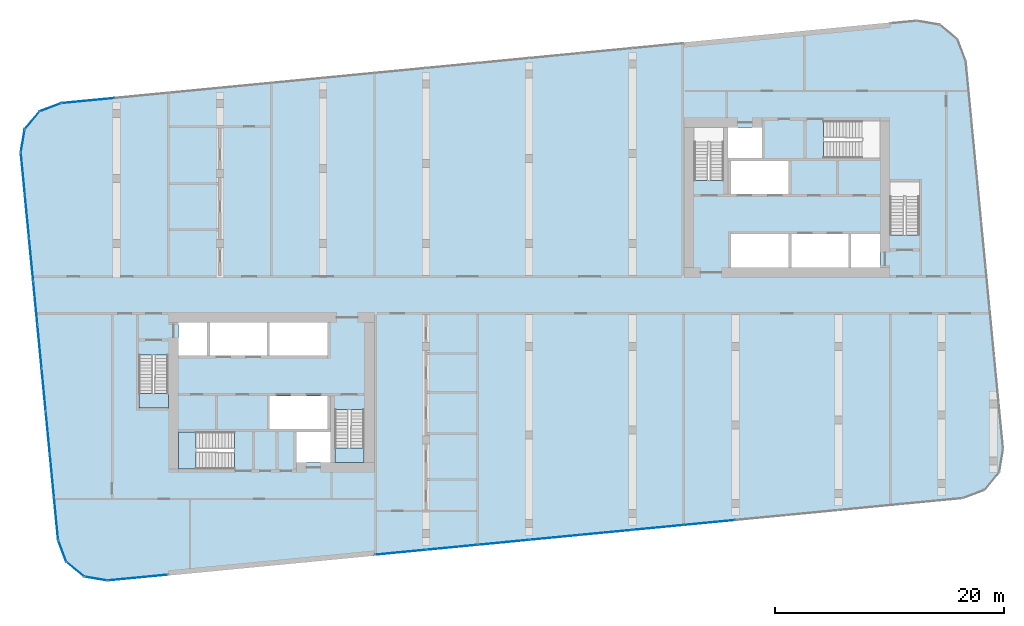
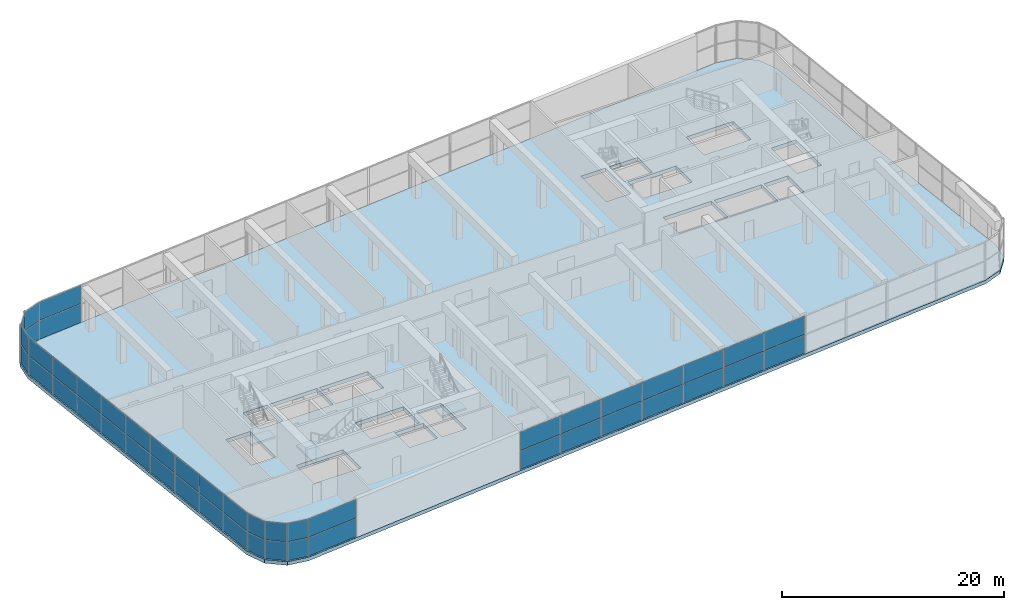
# One storey, part 10 of 21: 48 plates, 4 slabs, 17 elements without a shape of their own.
"""IFC4 building model written with IfcOpenShell, lengths in metres."""

from ifc_helpers import new_model, si_unit, direction, frame, origin, origin_2d, place, context, subcontext, project, spatial, polyline, rectangle, outline, extrude, material, layer, layer_set, type_object, element, aggregate, save


model = new_model("IFC4")

# Units and contexts
model_context = context("Model", 3, precision=1e-05, world=origin(), true_north=direction((0.0, 1.0)))
body_context = subcontext(model_context, "Body", "Model", "MODEL_VIEW")
ifc_project = project(units=[si_unit("LENGTHUNIT", "METRE"), si_unit("AREAUNIT", "SQUARE_METRE"), si_unit("VOLUMEUNIT", "CUBIC_METRE"), si_unit("PLANEANGLEUNIT", "RADIAN"), si_unit("MASSUNIT", "GRAM", prefix="KILO")], contexts=[model_context])

# Site, building, storey
site_placement = place(None, origin())
site = spatial("IfcSite", under=ifc_project, at=site_placement, CompositionType="ELEMENT")
building_placement = place(site_placement, origin())
building = spatial("IfcBuilding", under=site, at=building_placement, Name="Kajstack Hotel Tower", CompositionType="ELEMENT")
storey_placement = place(building_placement, frame((0.0, 0.0, 162.39990234375)))
storey = spatial("IfcBuildingStorey", under=building, at=storey_placement, Name="L37", CompositionType="ELEMENT", Elevation=162.39990234375)

# Curtain wall, plates
ifc_material_1 = material(Name="Aluminium-framed curtain wall, insulated glass with fritted edge", Category="aluminium")
curtain_wall_type = type_object("IfcCurtainWallType", Name="CW-SPA", PredefinedType="NOTDEFINED", material=ifc_material_1)
curtain_wall_1_placement = place(storey_placement, origin())
curtain_wall_1 = element("IfcCurtainWall", 1, at=curtain_wall_1_placement, inside=storey, type_object=curtain_wall_type, Name="Curtain wall CU7 L37-00-00-0", PredefinedType="NOTDEFINED")
ifc_material_2 = material(Name="Insulated glass with fritted edge", Category="glass")
ifc_layer_1 = layer(ifc_material_2, 0.035888671875)
ifc_layer_set_1 = layer_set([ifc_layer_1], Name="CW-P-SPA")
plate_type = type_object("IfcPlateType", Name="CW-P-SPA", PredefinedType="CURTAIN_PANEL", material=ifc_layer_set_1)
plate_1_placement = place(storey_placement, frame((-44.181640625, 10.562255859375, 0.06005859375), z_axis=(0.0, 0.0, 1.0), x_axis=(0.095844342793, -0.995396334107, 0.0)))
plate_1 = element("IfcPlate", 2, at=plate_1_placement, type_object=plate_type, Name="CU7 panel 1.1", PredefinedType="CURTAIN_PANEL", context=body_context, shape_type="SweptSolid", body=[
    extrude(rectangle(XDim=3.67529296875, YDim=0.035888671875, at=origin_2d()), origin(), (0.0, 0.0, 1.0), 2.02001953125),
])
plate_2_placement = place(storey_placement, frame((-44.181640625, 10.562255859375, 2.14013671875), z_axis=(0.0, 0.0, 1.0), x_axis=(0.095844342793, -0.995396334107, 0.0)))
plate_2 = element("IfcPlate", 3, at=plate_2_placement, type_object=plate_type, Name="CU7 panel 1.2", PredefinedType="CURTAIN_PANEL", context=body_context, shape_type="SweptSolid", body=[
    extrude(rectangle(XDim=3.67529296875, YDim=0.035888671875, at=origin_2d()), origin(), (0.0, 0.0, 1.0), 2.02001953125),
])
plate_3_placement = place(storey_placement, frame((-43.822265625, 6.829345703125, 0.06005859375), z_axis=(0.0, 0.0, 1.0), x_axis=(0.095844342793, -0.995396334107, 0.0)))
plate_3 = element("IfcPlate", 4, at=plate_3_placement, type_object=plate_type, Name="CU7 panel 2.1", PredefinedType="CURTAIN_PANEL", context=body_context, shape_type="SweptSolid", body=[
    extrude(rectangle(XDim=3.705322265625, YDim=0.035888671875, at=origin_2d()), origin(), (0.0, 0.0, 1.0), 2.02001953125),
])
plate_4_placement = place(storey_placement, frame((-43.822265625, 6.829345703125, 2.14013671875), z_axis=(0.0, 0.0, 1.0), x_axis=(0.095844342793, -0.995396334107, 0.0)))
plate_4 = element("IfcPlate", 5, at=plate_4_placement, type_object=plate_type, Name="CU7 panel 2.2", PredefinedType="CURTAIN_PANEL", context=body_context, shape_type="SweptSolid", body=[
    extrude(rectangle(XDim=3.705322265625, YDim=0.035888671875, at=origin_2d()), origin(), (0.0, 0.0, 1.0), 2.02001953125),
])
plate_5_placement = place(storey_placement, frame((-43.462890625, 3.09619140625, 0.06005859375), z_axis=(0.0, 0.0, 1.0), x_axis=(0.095844342793, -0.995396334107, 0.0)))
plate_5 = element("IfcPlate", 6, at=plate_5_placement, type_object=plate_type, Name="CU7 panel 3.1", PredefinedType="CURTAIN_PANEL", context=body_context, shape_type="SweptSolid", body=[
    extrude(rectangle(XDim=3.67529296875, YDim=0.035888671875, at=origin_2d()), origin(), (0.0, 0.0, 1.0), 2.02001953125),
])
plate_6_placement = place(storey_placement, frame((-43.462890625, 3.09619140625, 2.14013671875), z_axis=(0.0, 0.0, 1.0), x_axis=(0.095844342793, -0.995396334107, 0.0)))
plate_6 = element("IfcPlate", 7, at=plate_6_placement, type_object=plate_type, Name="CU7 panel 3.2", PredefinedType="CURTAIN_PANEL", context=body_context, shape_type="SweptSolid", body=[
    extrude(rectangle(XDim=3.67529296875, YDim=0.035888671875, at=origin_2d()), origin(), (0.0, 0.0, 1.0), 2.02001953125),
])
aggregate(curtain_wall_1, [plate_1, plate_2, plate_3, plate_4, plate_5, plate_6])

curtain_wall_2_placement = place(storey_placement, origin())
curtain_wall_2 = element("IfcCurtainWall", 8, at=curtain_wall_2_placement, inside=storey, type_object=curtain_wall_type, Name="Curtain wall CU7 L37-00-00-1", PredefinedType="NOTDEFINED")
plate_7_placement = place(storey_placement, frame((-43.0966796875, -0.707763671875, 0.06005859375), z_axis=(0.0, 0.0, 1.0), x_axis=(0.095844315639, -0.995396336722, 0.0)))
plate_7 = element("IfcPlate", 9, at=plate_7_placement, type_object=plate_type, Name="CU7 panel 1.1", PredefinedType="CURTAIN_PANEL", context=body_context, shape_type="SweptSolid", body=[
    extrude(rectangle(XDim=3.7275390625, YDim=0.035888671875, at=origin_2d()), origin(), (0.0, 0.0, 1.0), 2.02001953125),
])
plate_8_placement = place(storey_placement, frame((-43.0966796875, -0.707763671875, 2.14013671875), z_axis=(0.0, 0.0, 1.0), x_axis=(0.095844315639, -0.995396336722, 0.0)))
plate_8 = element("IfcPlate", 10, at=plate_8_placement, type_object=plate_type, Name="CU7 panel 1.2", PredefinedType="CURTAIN_PANEL", context=body_context, shape_type="SweptSolid", body=[
    extrude(rectangle(XDim=3.7275390625, YDim=0.035888671875, at=origin_2d()), origin(), (0.0, 0.0, 1.0), 2.02001953125),
])
plate_9_placement = place(storey_placement, frame((-42.732177734375, -4.492919921875, 0.06005859375), z_axis=(0.0, 0.0, 1.0), x_axis=(0.095844315639, -0.995396336722, 0.0)))
plate_9 = element("IfcPlate", 11, at=plate_9_placement, type_object=plate_type, Name="CU7 panel 2.1", PredefinedType="CURTAIN_PANEL", context=body_context, shape_type="SweptSolid", body=[
    extrude(rectangle(XDim=3.757568359375, YDim=0.035888671875, at=origin_2d()), origin(), (0.0, 0.0, 1.0), 2.02001953125),
])
plate_10_placement = place(storey_placement, frame((-42.732177734375, -4.492919921875, 2.14013671875), z_axis=(0.0, 0.0, 1.0), x_axis=(0.095844315639, -0.995396336722, 0.0)))
plate_10 = element("IfcPlate", 12, at=plate_10_placement, type_object=plate_type, Name="CU7 panel 2.2", PredefinedType="CURTAIN_PANEL", context=body_context, shape_type="SweptSolid", body=[
    extrude(rectangle(XDim=3.757568359375, YDim=0.035888671875, at=origin_2d()), origin(), (0.0, 0.0, 1.0), 2.02001953125),
])
plate_11_placement = place(storey_placement, frame((-42.36767578125, -8.27783203125, 0.06005859375), z_axis=(0.0, 0.0, 1.0), x_axis=(0.095844315639, -0.995396336722, 0.0)))
plate_11 = element("IfcPlate", 13, at=plate_11_placement, type_object=plate_type, Name="CU7 panel 3.1", PredefinedType="CURTAIN_PANEL", context=body_context, shape_type="SweptSolid", body=[
    extrude(rectangle(XDim=3.7275390625, YDim=0.035888671875, at=origin_2d()), origin(), (0.0, 0.0, 1.0), 2.02001953125),
])
plate_12_placement = place(storey_placement, frame((-42.36767578125, -8.27783203125, 2.14013671875), z_axis=(0.0, 0.0, 1.0), x_axis=(0.095844315639, -0.995396336722, 0.0)))
plate_12 = element("IfcPlate", 14, at=plate_12_placement, type_object=plate_type, Name="CU7 panel 3.2", PredefinedType="CURTAIN_PANEL", context=body_context, shape_type="SweptSolid", body=[
    extrude(rectangle(XDim=3.7275390625, YDim=0.035888671875, at=origin_2d()), origin(), (0.0, 0.0, 1.0), 2.02001953125),
])
aggregate(curtain_wall_2, [plate_7, plate_8, plate_9, plate_10, plate_11, plate_12])

curtain_wall_3_placement = place(storey_placement, origin())
curtain_wall_3 = element("IfcCurtainWall", 15, at=curtain_wall_3_placement, inside=storey, type_object=curtain_wall_type, Name="Curtain wall CU7 L37-00-00-2", PredefinedType="NOTDEFINED")
plate_13_placement = place(storey_placement, frame((-42.002197265625, -12.07421875, 0.06005859375), z_axis=(0.0, 0.0, 1.0), x_axis=(0.095844335322, -0.995396334827, 0.0)))
plate_13 = element("IfcPlate", 16, at=plate_13_placement, type_object=plate_type, Name="CU7 panel 1.1", PredefinedType="CURTAIN_PANEL", context=body_context, shape_type="SweptSolid", body=[
    extrude(rectangle(XDim=3.660400390625, YDim=0.035888671875, at=origin_2d()), origin(), (0.0, 0.0, 1.0), 2.02001953125),
])
plate_14_placement = place(storey_placement, frame((-42.002197265625, -12.07421875, 2.14013671875), z_axis=(0.0, 0.0, 1.0), x_axis=(0.095844335322, -0.995396334827, 0.0)))
plate_14 = element("IfcPlate", 17, at=plate_14_placement, type_object=plate_type, Name="CU7 panel 1.2", PredefinedType="CURTAIN_PANEL", context=body_context, shape_type="SweptSolid", body=[
    extrude(rectangle(XDim=3.660400390625, YDim=0.035888671875, at=origin_2d()), origin(), (0.0, 0.0, 1.0), 2.02001953125),
])
plate_15_placement = place(storey_placement, frame((-41.64404296875, -15.79248046875, 0.06005859375), z_axis=(0.0, 0.0, 1.0), x_axis=(0.095844335322, -0.995396334827, 0.0)))
plate_15 = element("IfcPlate", 18, at=plate_15_placement, type_object=plate_type, Name="CU7 panel 2.1", PredefinedType="CURTAIN_PANEL", context=body_context, shape_type="SweptSolid", body=[
    extrude(rectangle(XDim=3.6904296875, YDim=0.035888671875, at=origin_2d()), origin(), (0.0, 0.0, 1.0), 2.02001953125),
])
plate_16_placement = place(storey_placement, frame((-41.64404296875, -15.79248046875, 2.14013671875), z_axis=(0.0, 0.0, 1.0), x_axis=(0.095844335322, -0.995396334827, 0.0)))
plate_16 = element("IfcPlate", 19, at=plate_16_placement, type_object=plate_type, Name="CU7 panel 2.2", PredefinedType="CURTAIN_PANEL", context=body_context, shape_type="SweptSolid", body=[
    extrude(rectangle(XDim=3.6904296875, YDim=0.035888671875, at=origin_2d()), origin(), (0.0, 0.0, 1.0), 2.02001953125),
])
plate_17_placement = place(storey_placement, frame((-41.2861328125, -19.5107421875, 0.06005859375), z_axis=(0.0, 0.0, 1.0), x_axis=(0.095844335322, -0.995396334827, 0.0)))
plate_17 = element("IfcPlate", 20, at=plate_17_placement, type_object=plate_type, Name="CU7 panel 3.1", PredefinedType="CURTAIN_PANEL", context=body_context, shape_type="SweptSolid", body=[
    extrude(rectangle(XDim=3.660400390625, YDim=0.035888671875, at=origin_2d()), origin(), (0.0, 0.0, 1.0), 2.02001953125),
])
plate_18_placement = place(storey_placement, frame((-41.2861328125, -19.5107421875, 2.14013671875), z_axis=(0.0, 0.0, 1.0), x_axis=(0.095844335322, -0.995396334827, 0.0)))
plate_18 = element("IfcPlate", 21, at=plate_18_placement, type_object=plate_type, Name="CU7 panel 3.2", PredefinedType="CURTAIN_PANEL", context=body_context, shape_type="SweptSolid", body=[
    extrude(rectangle(XDim=3.660400390625, YDim=0.035888671875, at=origin_2d()), origin(), (0.0, 0.0, 1.0), 2.02001953125),
])
aggregate(curtain_wall_3, [plate_13, plate_14, plate_15, plate_16, plate_17, plate_18])

curtain_wall_4_placement = place(storey_placement, origin())
curtain_wall_4 = element("IfcCurtainWall", 22, at=curtain_wall_4_placement, inside=storey, type_object=curtain_wall_type, Name="Curtain wall CU7 L37-01-00-0", PredefinedType="NOTDEFINED")
plate_19_placement = place(storey_placement, frame((-40.746826171875, -22.3427734375, 0.06005859375), z_axis=(0.0, 0.0, 1.0), x_axis=(0.350228848104, -0.936664162844, 0.0)))
plate_19 = element("IfcPlate", 23, at=plate_19_placement, type_object=plate_type, Name="CU7 panel 1.1", PredefinedType="CURTAIN_PANEL", context=body_context, shape_type="SweptSolid", body=[
    extrude(rectangle(XDim=1.95068359375, YDim=0.035888671875, at=origin_2d()), origin(), (0.0, 0.0, 1.0), 2.02001953125),
])
plate_20_placement = place(storey_placement, frame((-40.746826171875, -22.3427734375, 2.14013671875), z_axis=(0.0, 0.0, 1.0), x_axis=(0.350228848104, -0.936664162844, 0.0)))
plate_20 = element("IfcPlate", 24, at=plate_20_placement, type_object=plate_type, Name="CU7 panel 1.2", PredefinedType="CURTAIN_PANEL", context=body_context, shape_type="SweptSolid", body=[
    extrude(rectangle(XDim=1.95068359375, YDim=0.035888671875, at=origin_2d()), origin(), (0.0, 0.0, 1.0), 2.02001953125),
])
aggregate(curtain_wall_4, [plate_19, plate_20])

curtain_wall_5_placement = place(storey_placement, origin())
curtain_wall_5 = element("IfcCurtainWall", 25, at=curtain_wall_5_placement, inside=storey, type_object=curtain_wall_type, Name="Curtain wall CU7 L37-02-00-0", PredefinedType="NOTDEFINED")
plate_21_placement = place(storey_placement, frame((-39.60791015625, -23.939453125, 0.06005859375), z_axis=(0.0, 0.0, 1.0), x_axis=(0.771615056057, -0.636089777678, 0.0)))
plate_21 = element("IfcPlate", 26, at=plate_21_placement, type_object=plate_type, Name="CU7 panel 1.1", PredefinedType="CURTAIN_PANEL", context=body_context, shape_type="SweptSolid", body=[
    extrude(rectangle(XDim=1.950439453125, YDim=0.035888671875, at=origin_2d()), origin(), (0.0, 0.0, 1.0), 2.02001953125),
])
plate_22_placement = place(storey_placement, frame((-39.60791015625, -23.939453125, 2.14013671875), z_axis=(0.0, 0.0, 1.0), x_axis=(0.771615056057, -0.636089777678, 0.0)))
plate_22 = element("IfcPlate", 27, at=plate_22_placement, type_object=plate_type, Name="CU7 panel 1.2", PredefinedType="CURTAIN_PANEL", context=body_context, shape_type="SweptSolid", body=[
    extrude(rectangle(XDim=1.950439453125, YDim=0.035888671875, at=origin_2d()), origin(), (0.0, 0.0, 1.0), 2.02001953125),
])
aggregate(curtain_wall_5, [plate_21, plate_22])

curtain_wall_6_placement = place(storey_placement, origin())
curtain_wall_6 = element("IfcCurtainWall", 28, at=curtain_wall_6_placement, inside=storey, type_object=curtain_wall_type, Name="Curtain wall CU7 L37-03-00-0", PredefinedType="NOTDEFINED")
plate_23_placement = place(storey_placement, frame((-37.8232421875, -24.752685546875, 0.06005859375), z_axis=(0.0, 0.0, 1.0), x_axis=(0.986289302298, -0.165025489464, 0.0)))
plate_23 = element("IfcPlate", 29, at=plate_23_placement, type_object=plate_type, Name="CU7 panel 1.1", PredefinedType="CURTAIN_PANEL", context=body_context, shape_type="SweptSolid", body=[
    extrude(rectangle(XDim=1.95068359375, YDim=0.035888671875, at=origin_2d()), origin(), (0.0, 0.0, 1.0), 2.02001953125),
])
plate_24_placement = place(storey_placement, frame((-37.8232421875, -24.752685546875, 2.14013671875), z_axis=(0.0, 0.0, 1.0), x_axis=(0.986289302298, -0.165025489464, 0.0)))
plate_24 = element("IfcPlate", 30, at=plate_24_placement, type_object=plate_type, Name="CU7 panel 1.2", PredefinedType="CURTAIN_PANEL", context=body_context, shape_type="SweptSolid", body=[
    extrude(rectangle(XDim=1.95068359375, YDim=0.035888671875, at=origin_2d()), origin(), (0.0, 0.0, 1.0), 2.02001953125),
])
aggregate(curtain_wall_6, [plate_23, plate_24])

curtain_wall_7_placement = place(storey_placement, origin())
curtain_wall_7 = element("IfcCurtainWall", 31, at=curtain_wall_7_placement, inside=storey, type_object=curtain_wall_type, Name="Curtain wall CU7 L37-04-00-0", PredefinedType="NOTDEFINED")
plate_25_placement = place(storey_placement, frame((-34.16455078125, -24.6669921875, 0.06005859375), z_axis=(0.0, 0.0, 1.0), x_axis=(0.995396243195, 0.09584528696, 0.0)))
plate_25 = element("IfcPlate", 32, at=plate_25_placement, type_object=plate_type, Name="CU7 panel 1.1", PredefinedType="CURTAIN_PANEL", context=body_context, shape_type="SweptSolid", body=[
    extrude(rectangle(XDim=5.21923828125, YDim=0.035888671875, at=origin_2d()), origin(), (0.0, 0.0, 1.0), 2.02001953125),
])
plate_26_placement = place(storey_placement, frame((-34.16455078125, -24.6669921875, 2.14013671875), z_axis=(0.0, 0.0, 1.0), x_axis=(0.995396243195, 0.09584528696, 0.0)))
plate_26 = element("IfcPlate", 33, at=plate_26_placement, type_object=plate_type, Name="CU7 panel 1.2", PredefinedType="CURTAIN_PANEL", context=body_context, shape_type="SweptSolid", body=[
    extrude(rectangle(XDim=5.21923828125, YDim=0.035888671875, at=origin_2d()), origin(), (0.0, 0.0, 1.0), 2.02001953125),
])
aggregate(curtain_wall_7, [plate_25, plate_26])

curtain_wall_8_placement = place(storey_placement, origin())
curtain_wall_8 = element("IfcCurtainWall", 34, at=curtain_wall_8_placement, inside=storey, type_object=curtain_wall_type, Name="Curtain wall CU7 L37-04-02-0", PredefinedType="NOTDEFINED")
plate_27_placement = place(storey_placement, frame((-11.2421875, -22.459716796875, 0.06005859375), z_axis=(0.0, 0.0, 1.0), x_axis=(0.99539623389, 0.095845383606, 0.0)))
plate_27 = element("IfcPlate", 35, at=plate_27_placement, type_object=plate_type, Name="CU7 panel 1.1", PredefinedType="CURTAIN_PANEL", context=body_context, shape_type="SweptSolid", body=[
    extrude(rectangle(XDim=4.430908203125, YDim=0.035888671875, at=origin_2d()), origin(), (0.0, 0.0, 1.0), 2.02001953125),
])
plate_28_placement = place(storey_placement, frame((-11.2421875, -22.459716796875, 2.14013671875), z_axis=(0.0, 0.0, 1.0), x_axis=(0.99539623389, 0.095845383606, 0.0)))
plate_28 = element("IfcPlate", 36, at=plate_28_placement, type_object=plate_type, Name="CU7 panel 1.2", PredefinedType="CURTAIN_PANEL", context=body_context, shape_type="SweptSolid", body=[
    extrude(rectangle(XDim=4.430908203125, YDim=0.035888671875, at=origin_2d()), origin(), (0.0, 0.0, 1.0), 2.02001953125),
])
plate_29_placement = place(storey_placement, frame((-6.772216796875, -22.029296875, 0.06005859375), z_axis=(0.0, 0.0, 1.0), x_axis=(0.99539623389, 0.095845383606, 0.0)))
plate_29 = element("IfcPlate", 37, at=plate_29_placement, type_object=plate_type, Name="CU7 panel 2.1", PredefinedType="CURTAIN_PANEL", context=body_context, shape_type="SweptSolid", body=[
    extrude(rectangle(XDim=4.430908203125, YDim=0.035888671875, at=origin_2d()), origin(), (0.0, 0.0, 1.0), 2.02001953125),
])
plate_30_placement = place(storey_placement, frame((-6.772216796875, -22.029296875, 2.14013671875), z_axis=(0.0, 0.0, 1.0), x_axis=(0.99539623389, 0.095845383606, 0.0)))
plate_30 = element("IfcPlate", 38, at=plate_30_placement, type_object=plate_type, Name="CU7 panel 2.2", PredefinedType="CURTAIN_PANEL", context=body_context, shape_type="SweptSolid", body=[
    extrude(rectangle(XDim=4.430908203125, YDim=0.035888671875, at=origin_2d()), origin(), (0.0, 0.0, 1.0), 2.02001953125),
])
aggregate(curtain_wall_8, [plate_27, plate_28, plate_29, plate_30])

curtain_wall_9_placement = place(storey_placement, origin())
curtain_wall_9 = element("IfcCurtainWall", 39, at=curtain_wall_9_placement, inside=storey, type_object=curtain_wall_type, Name="Curtain wall CU7 L37-04-02-1", PredefinedType="NOTDEFINED")
plate_31_placement = place(storey_placement, frame((-2.2421875, -21.59326171875, 0.06005859375), z_axis=(0.0, 0.0, 1.0), x_axis=(0.995396234967, 0.095845372418, 0.0)))
plate_31 = element("IfcPlate", 40, at=plate_31_placement, type_object=plate_type, Name="CU7 panel 1.1", PredefinedType="CURTAIN_PANEL", context=body_context, shape_type="SweptSolid", body=[
    extrude(rectangle(XDim=4.430908203125, YDim=0.035888671875, at=origin_2d()), origin(), (0.0, 0.0, 1.0), 2.02001953125),
])
plate_32_placement = place(storey_placement, frame((-2.2421875, -21.59326171875, 2.14013671875), z_axis=(0.0, 0.0, 1.0), x_axis=(0.995396234967, 0.095845372418, 0.0)))
plate_32 = element("IfcPlate", 41, at=plate_32_placement, type_object=plate_type, Name="CU7 panel 1.2", PredefinedType="CURTAIN_PANEL", context=body_context, shape_type="SweptSolid", body=[
    extrude(rectangle(XDim=4.430908203125, YDim=0.035888671875, at=origin_2d()), origin(), (0.0, 0.0, 1.0), 2.02001953125),
])
plate_33_placement = place(storey_placement, frame((2.242919921875, -21.161376953125, 0.06005859375), z_axis=(0.0, 0.0, 1.0), x_axis=(0.995396234967, 0.095845372418, 0.0)))
plate_33 = element("IfcPlate", 42, at=plate_33_placement, type_object=plate_type, Name="CU7 panel 2.1", PredefinedType="CURTAIN_PANEL", context=body_context, shape_type="SweptSolid", body=[
    extrude(rectangle(XDim=4.460693359375, YDim=0.035888671875, at=origin_2d()), origin(), (0.0, 0.0, 1.0), 2.02001953125),
])
plate_34_placement = place(storey_placement, frame((2.242919921875, -21.161376953125, 2.14013671875), z_axis=(0.0, 0.0, 1.0), x_axis=(0.995396234967, 0.095845372418, 0.0)))
plate_34 = element("IfcPlate", 43, at=plate_34_placement, type_object=plate_type, Name="CU7 panel 2.2", PredefinedType="CURTAIN_PANEL", context=body_context, shape_type="SweptSolid", body=[
    extrude(rectangle(XDim=4.460693359375, YDim=0.035888671875, at=origin_2d()), origin(), (0.0, 0.0, 1.0), 2.02001953125),
])
plate_35_placement = place(storey_placement, frame((6.727783203125, -20.7294921875, 0.06005859375), z_axis=(0.0, 0.0, 1.0), x_axis=(0.995396234967, 0.095845372418, 0.0)))
plate_35 = element("IfcPlate", 44, at=plate_35_placement, type_object=plate_type, Name="CU7 panel 3.1", PredefinedType="CURTAIN_PANEL", context=body_context, shape_type="SweptSolid", body=[
    extrude(rectangle(XDim=4.430908203125, YDim=0.035888671875, at=origin_2d()), origin(), (0.0, 0.0, 1.0), 2.02001953125),
])
plate_36_placement = place(storey_placement, frame((6.727783203125, -20.7294921875, 2.14013671875), z_axis=(0.0, 0.0, 1.0), x_axis=(0.995396234967, 0.095845372418, 0.0)))
plate_36 = element("IfcPlate", 45, at=plate_36_placement, type_object=plate_type, Name="CU7 panel 3.2", PredefinedType="CURTAIN_PANEL", context=body_context, shape_type="SweptSolid", body=[
    extrude(rectangle(XDim=4.430908203125, YDim=0.035888671875, at=origin_2d()), origin(), (0.0, 0.0, 1.0), 2.02001953125),
])
aggregate(curtain_wall_9, [plate_31, plate_32, plate_33, plate_34, plate_35, plate_36])

curtain_wall_10_placement = place(storey_placement, origin())
curtain_wall_10 = element("IfcCurtainWall", 46, at=curtain_wall_10_placement, inside=storey, type_object=curtain_wall_type, Name="Curtain wall CU7 L37-04-02-2", PredefinedType="NOTDEFINED")
plate_37_placement = place(storey_placement, frame((11.2578125, -20.293212890625, 0.06005859375), z_axis=(0.0, 0.0, 1.0), x_axis=(0.995396237806, 0.095845342936, 0.0)))
plate_37 = element("IfcPlate", 47, at=plate_37_placement, type_object=plate_type, Name="CU7 panel 1.1", PredefinedType="CURTAIN_PANEL", context=body_context, shape_type="SweptSolid", body=[
    extrude(rectangle(XDim=4.430908203125, YDim=0.035888671875, at=origin_2d()), origin(), (0.0, 0.0, 1.0), 2.02001953125),
])
plate_38_placement = place(storey_placement, frame((11.2578125, -20.293212890625, 2.14013671875), z_axis=(0.0, 0.0, 1.0), x_axis=(0.995396237806, 0.095845342936, 0.0)))
plate_38 = element("IfcPlate", 48, at=plate_38_placement, type_object=plate_type, Name="CU7 panel 1.2", PredefinedType="CURTAIN_PANEL", context=body_context, shape_type="SweptSolid", body=[
    extrude(rectangle(XDim=4.430908203125, YDim=0.035888671875, at=origin_2d()), origin(), (0.0, 0.0, 1.0), 2.02001953125),
])
plate_39_placement = place(storey_placement, frame((15.727783203125, -19.86279296875, 0.06005859375), z_axis=(0.0, 0.0, 1.0), x_axis=(0.995396237806, 0.095845342936, 0.0)))
plate_39 = element("IfcPlate", 49, at=plate_39_placement, type_object=plate_type, Name="CU7 panel 2.1", PredefinedType="CURTAIN_PANEL", context=body_context, shape_type="SweptSolid", body=[
    extrude(rectangle(XDim=4.430908203125, YDim=0.035888671875, at=origin_2d()), origin(), (0.0, 0.0, 1.0), 2.02001953125),
])
plate_40_placement = place(storey_placement, frame((15.727783203125, -19.86279296875, 2.14013671875), z_axis=(0.0, 0.0, 1.0), x_axis=(0.995396237806, 0.095845342936, 0.0)))
plate_40 = element("IfcPlate", 50, at=plate_40_placement, type_object=plate_type, Name="CU7 panel 2.2", PredefinedType="CURTAIN_PANEL", context=body_context, shape_type="SweptSolid", body=[
    extrude(rectangle(XDim=4.430908203125, YDim=0.035888671875, at=origin_2d()), origin(), (0.0, 0.0, 1.0), 2.02001953125),
])
aggregate(curtain_wall_10, [plate_37, plate_38, plate_39, plate_40])

curtain_wall_11_placement = place(storey_placement, origin())
curtain_wall_11 = element("IfcCurtainWall", 51, at=curtain_wall_11_placement, inside=storey, type_object=curtain_wall_type, Name="Curtain wall CU7 L37-12-02-4", PredefinedType="NOTDEFINED")
plate_41_placement = place(storey_placement, frame((-38.48291015625, 16.960693359375, 0.06005859375), z_axis=(0.0, 0.0, 1.0), x_axis=(-0.995396232317, -0.095845399936, 0.0)))
plate_41 = element("IfcPlate", 52, at=plate_41_placement, type_object=plate_type, Name="CU7 panel 2.1", PredefinedType="CURTAIN_PANEL", context=body_context, shape_type="SweptSolid", body=[
    extrude(rectangle(XDim=4.6015625, YDim=0.035888671875, at=origin_2d()), origin(), (0.0, 0.0, 1.0), 2.02001953125),
])
plate_42_placement = place(storey_placement, frame((-38.48291015625, 16.960693359375, 2.14013671875), z_axis=(0.0, 0.0, 1.0), x_axis=(-0.995396232317, -0.095845399936, 0.0)))
plate_42 = element("IfcPlate", 53, at=plate_42_placement, type_object=plate_type, Name="CU7 panel 2.2", PredefinedType="CURTAIN_PANEL", context=body_context, shape_type="SweptSolid", body=[
    extrude(rectangle(XDim=4.6015625, YDim=0.035888671875, at=origin_2d()), origin(), (0.0, 0.0, 1.0), 2.02001953125),
])
aggregate(curtain_wall_11, [plate_41, plate_42])

curtain_wall_12_placement = place(storey_placement, origin())
curtain_wall_12 = element("IfcCurtainWall", 54, at=curtain_wall_12_placement, inside=storey, type_object=curtain_wall_type, Name="Curtain wall CU7 L37-13-00-0", PredefinedType="NOTDEFINED")
plate_43_placement = place(storey_placement, frame((-41.783447265625, 16.376220703125, 0.06005859375), z_axis=(0.0, 0.0, 1.0), x_axis=(-0.936674082046, -0.3502023187, 0.0)))
plate_43 = element("IfcPlate", 55, at=plate_43_placement, type_object=plate_type, Name="CU7 panel 1.1", PredefinedType="CURTAIN_PANEL", context=body_context, shape_type="SweptSolid", body=[
    extrude(rectangle(XDim=1.950439453125, YDim=0.035888671875, at=origin_2d()), origin(), (0.0, 0.0, 1.0), 2.02001953125),
])
plate_44_placement = place(storey_placement, frame((-41.783447265625, 16.376220703125, 2.14013671875), z_axis=(0.0, 0.0, 1.0), x_axis=(-0.936674082046, -0.3502023187, 0.0)))
plate_44 = element("IfcPlate", 56, at=plate_44_placement, type_object=plate_type, Name="CU7 panel 1.2", PredefinedType="CURTAIN_PANEL", context=body_context, shape_type="SweptSolid", body=[
    extrude(rectangle(XDim=1.950439453125, YDim=0.035888671875, at=origin_2d()), origin(), (0.0, 0.0, 1.0), 2.02001953125),
])
aggregate(curtain_wall_12, [plate_43, plate_44])

curtain_wall_13_placement = place(storey_placement, origin())
curtain_wall_13 = element("IfcCurtainWall", 57, at=curtain_wall_13_placement, inside=storey, type_object=curtain_wall_type, Name="Curtain wall CU7 L37-14-00-0", PredefinedType="NOTDEFINED")
plate_45_placement = place(storey_placement, frame((-43.380126953125, 15.237548828125, 0.06005859375), z_axis=(0.0, 0.0, 1.0), x_axis=(-0.636094828048, -0.771610892698, 0.0)))
plate_45 = element("IfcPlate", 58, at=plate_45_placement, type_object=plate_type, Name="CU7 panel 1.1", PredefinedType="CURTAIN_PANEL", context=body_context, shape_type="SweptSolid", body=[
    extrude(rectangle(XDim=1.95068359375, YDim=0.035888671875, at=origin_2d()), origin(), (0.0, 0.0, 1.0), 2.02001953125),
])
plate_46_placement = place(storey_placement, frame((-43.380126953125, 15.237548828125, 2.14013671875), z_axis=(0.0, 0.0, 1.0), x_axis=(-0.636094828048, -0.771610892698, 0.0)))
plate_46 = element("IfcPlate", 59, at=plate_46_placement, type_object=plate_type, Name="CU7 panel 1.2", PredefinedType="CURTAIN_PANEL", context=body_context, shape_type="SweptSolid", body=[
    extrude(rectangle(XDim=1.95068359375, YDim=0.035888671875, at=origin_2d()), origin(), (0.0, 0.0, 1.0), 2.02001953125),
])
aggregate(curtain_wall_13, [plate_45, plate_46])

curtain_wall_14_placement = place(storey_placement, origin())
curtain_wall_14 = element("IfcCurtainWall", 60, at=curtain_wall_14_placement, inside=storey, type_object=curtain_wall_type, Name="Curtain wall CU7 L37-15-00-0", PredefinedType="NOTDEFINED")
plate_47_placement = place(storey_placement, frame((-44.193359375, 13.452880859375, 0.06005859375), z_axis=(0.0, 0.0, 1.0), x_axis=(-0.165025489464, -0.986289302298, 0.0)))
plate_47 = element("IfcPlate", 61, at=plate_47_placement, type_object=plate_type, Name="CU7 panel 1.1", PredefinedType="CURTAIN_PANEL", context=body_context, shape_type="SweptSolid", body=[
    extrude(rectangle(XDim=1.95068359375, YDim=0.035888671875, at=origin_2d()), origin(), (0.0, 0.0, 1.0), 2.02001953125),
])
plate_48_placement = place(storey_placement, frame((-44.193359375, 13.452880859375, 2.14013671875), z_axis=(0.0, 0.0, 1.0), x_axis=(-0.165025489464, -0.986289302298, 0.0)))
plate_48 = element("IfcPlate", 62, at=plate_48_placement, type_object=plate_type, Name="CU7 panel 1.2", PredefinedType="CURTAIN_PANEL", context=body_context, shape_type="SweptSolid", body=[
    extrude(rectangle(XDim=1.95068359375, YDim=0.035888671875, at=origin_2d()), origin(), (0.0, 0.0, 1.0), 2.02001953125),
])
aggregate(curtain_wall_14, [plate_47, plate_48])

# Slab
ifc_material_3 = material(Name="Concrete C50/60", Category="concrete")
ifc_layer_2 = layer(ifc_material_3, 0.39990234375)
ifc_layer_set_2 = layer_set([ifc_layer_2], Name="RC slab 400 C50/60 spa")
slab_type_1 = type_object("IfcSlabType", Name="RC slab 400 C50/60 spa", PredefinedType="FLOOR", material=ifc_layer_set_2)
slab_1_placement = place(storey_placement, frame((0.0, 0.0, -0.39990234375)))
element("IfcSlab", 63, at=slab_1_placement, inside=storey, type_object=slab_type_1, Name="S-slab-L37", PredefinedType="FLOOR", context=body_context, shape_type="SweptSolid", body=[
    extrude(outline(polyline([(-44.438232421875, 12.444091796875), (-41.1796875, -21.3994140625), (-40.454345703125, -23.3388671875), (-38.856689453125, -24.65576171875), (-36.814697265625, -24.99755859375), (37.840087890625, -17.80908203125), (39.779541015625, -17.083984375), (41.0966796875, -15.486328125), (41.438232421875, -13.444091796875), (38.1796875, 20.3994140625), (37.454345703125, 22.3388671875), (35.856689453125, 23.65576171875), (33.814697265625, 23.99755859375), (-40.840087890625, 16.80908203125), (-42.779541015625, 16.083984375), (-44.0966796875, 14.486328125), (-44.438232421875, 12.444091796875)]), holes=[polyline([(-22.64990234375, -11.699951171875), (-22.64990234375, -8.800048828125), (-17.60009765625, -8.800048828125), (-17.60009765625, -11.699951171875), (-22.64990234375, -11.699951171875)]), polyline([(-27.85009765625, -5.300048828125), (-27.85009765625, -2.39990234375), (-22.89990234375, -2.39990234375), (-22.89990234375, -5.300048828125), (-27.85009765625, -5.300048828125)]), polyline([(-22.64990234375, -5.300048828125), (-22.64990234375, -2.39990234375), (-17.60009765625, -2.39990234375), (-17.60009765625, -5.300048828125), (-22.64990234375, -5.300048828125)]), polyline([(-20.300048828125, -14.60009765625), (-17.35009765625, -14.60009765625), (-17.35009765625, -11.949951171875), (-20.300048828125, -11.949951171875), (-20.300048828125, -14.60009765625)]), polyline([(-30.60009765625, -5.300048828125), (-28.10009765625, -5.300048828125), (-28.10009765625, -2.39990234375), (-30.60009765625, -2.39990234375), (-30.60009765625, -5.300048828125)]), polyline([(17.60009765625, 8.800048828125), (17.60009765625, 11.699951171875), (22.64990234375, 11.699951171875), (22.64990234375, 8.800048828125), (17.60009765625, 8.800048828125)]), polyline([(22.89990234375, 2.39990234375), (22.89990234375, 5.300048828125), (27.85009765625, 5.300048828125), (27.85009765625, 2.39990234375), (22.89990234375, 2.39990234375)]), polyline([(17.60009765625, 2.39990234375), (17.60009765625, 5.300048828125), (22.64990234375, 5.300048828125), (22.64990234375, 2.39990234375), (17.60009765625, 2.39990234375)]), polyline([(20.300048828125, 14.60009765625), (17.35009765625, 14.60009765625), (17.35009765625, 11.949951171875), (20.300048828125, 11.949951171875), (20.300048828125, 14.60009765625)]), polyline([(30.60009765625, 5.300048828125), (28.10009765625, 5.300048828125), (28.10009765625, 2.39990234375), (30.60009765625, 2.39990234375), (30.60009765625, 5.300048828125)]), polyline([(-34.050048828125, -9.85009765625), (-31.5, -9.85009765625), (-31.5, -5.25), (-34.050048828125, -5.25), (-34.050048828125, -9.85009765625)]), polyline([(-16.949951171875, -14.60009765625), (-14.39990234375, -14.60009765625), (-14.39990234375, -10.0), (-16.949951171875, -10.0), (-16.949951171875, -14.60009765625)]), polyline([(-30.60009765625, -15.199951171875), (-25.699951171875, -15.199951171875), (-25.699951171875, -11.949951171875), (-30.60009765625, -11.949951171875), (-30.60009765625, -15.199951171875)]), polyline([(34.050048828125, 9.85009765625), (31.5, 9.85009765625), (31.5, 5.25), (34.050048828125, 5.25), (34.050048828125, 9.85009765625)]), polyline([(16.949951171875, 14.60009765625), (14.39990234375, 14.60009765625), (14.39990234375, 10.0), (16.949951171875, 10.0), (16.949951171875, 14.60009765625)]), polyline([(30.60009765625, 15.199951171875), (25.699951171875, 15.199951171875), (25.699951171875, 11.949951171875), (30.60009765625, 11.949951171875), (30.60009765625, 15.199951171875)])]), origin(), (0.0, 0.0, 1.0), 0.39990234375),
])

# Stair, slab
ifc_material_4 = material(Name="Concrete C40/50", Category="concrete")
stair_type_1 = type_object("IfcStairType", Name="Exit stair 1200", PredefinedType="HALF_TURN_STAIR", material=ifc_material_4)
stair_1_placement = place(storey_placement, origin())
stair_1 = element("IfcStair", 64, at=stair_1_placement, inside=storey, type_object=stair_type_1, Name="L37 stair W1", PredefinedType="HALF_TURN_STAIR")
ifc_layer_3 = layer(ifc_material_4, 0.199951171875)
ifc_layer_set_3 = layer_set([ifc_layer_3], Name="Stair landing 200")
slab_type_2 = type_object("IfcSlabType", Name="Stair landing 200", PredefinedType="LANDING", material=ifc_layer_set_3)
slab_2_placement = place(storey_placement, frame((0.0, 0.0, 2.050048828125)))
slab_2 = element("IfcSlab", 65, at=slab_2_placement, type_object=slab_type_2, Name="W1 landing 1", PredefinedType="LANDING", context=body_context, shape_type="SweptSolid", body=[
    extrude(outline(polyline([(-34.050048828125, -8.610107421875), (-34.050048828125, -9.85009765625), (-31.5, -9.85009765625), (-31.5, -8.610107421875), (-34.050048828125, -8.610107421875)])), origin(), (0.0, 0.0, 1.0), 0.199951171875),
])
aggregate(stair_1, [slab_2])

stair_2_placement = place(storey_placement, origin())
stair_2 = element("IfcStair", 66, at=stair_2_placement, inside=storey, type_object=stair_type_1, Name="L37 stair W2", PredefinedType="HALF_TURN_STAIR")
slab_3_placement = place(storey_placement, frame((0.0, 0.0, 2.050048828125)))
slab_3 = element("IfcSlab", 67, at=slab_3_placement, type_object=slab_type_2, Name="W2 landing 1", PredefinedType="LANDING", context=body_context, shape_type="SweptSolid", body=[
    extrude(outline(polyline([(-16.949951171875, -13.360107421875), (-16.949951171875, -14.60009765625), (-14.39990234375, -14.60009765625), (-14.39990234375, -13.360107421875), (-16.949951171875, -13.360107421875)])), origin(), (0.0, 0.0, 1.0), 0.199951171875),
])
aggregate(stair_2, [slab_3])

stair_type_2 = type_object("IfcStairType", Name="Exit stair 1500", PredefinedType="HALF_TURN_STAIR", material=ifc_material_4)
stair_3_placement = place(storey_placement, origin())
stair_3 = element("IfcStair", 68, at=stair_3_placement, inside=storey, type_object=stair_type_2, Name="L37 stair W3", PredefinedType="HALF_TURN_STAIR")
slab_4_placement = place(storey_placement, frame((0.0, 0.0, 2.050048828125)))
slab_4 = element("IfcSlab", 69, at=slab_4_placement, type_object=slab_type_2, Name="W3 landing 1", PredefinedType="LANDING", context=body_context, shape_type="SweptSolid", body=[
    extrude(outline(polyline([(-29.06005859375, -11.949951171875), (-30.60009765625, -11.949951171875), (-30.60009765625, -15.199951171875), (-29.06005859375, -15.199951171875), (-29.06005859375, -11.949951171875)])), origin(), (0.0, 0.0, 1.0), 0.199951171875),
])
aggregate(stair_3, [slab_4])

save(model, "model.ifc")
